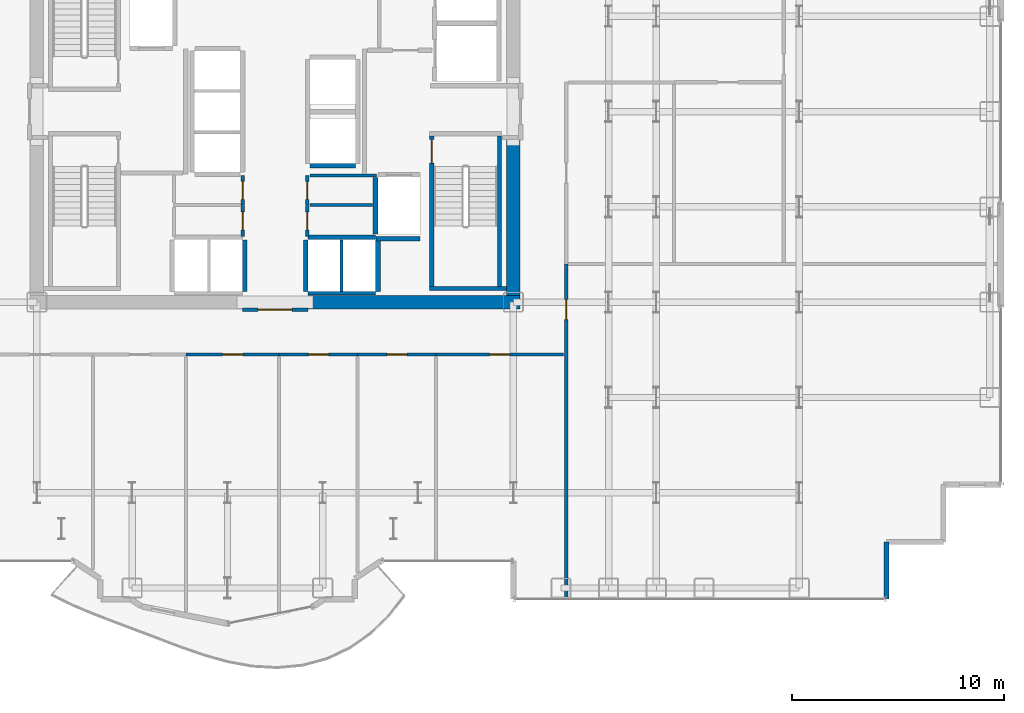
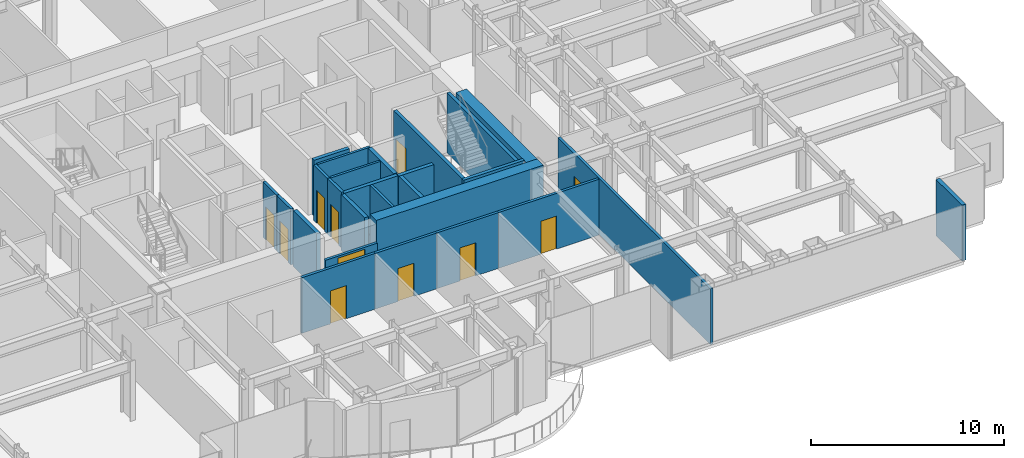
# One storey, part 24 of 29: 27 walls, 11 doors, 11 openings.
"""IFC4 building model written with IfcOpenShell, lengths in metres."""

from ifc_helpers import new_model, si_unit, direction, frame, frame_2d, origin, place, context, subcontext, project, spatial, rectangle, extrude, source, transform, mapped, material, layer, layer_set, type_object, element, fill, save


model = new_model("IFC4")

# Units and contexts
model_context = context("Model", 3, precision=1e-05, world=origin(), true_north=direction((0.0, 1.0)))
body_context = subcontext(model_context, "Body", "Model", "MODEL_VIEW")
ifc_project = project(units=[si_unit("LENGTHUNIT", "METRE"), si_unit("AREAUNIT", "SQUARE_METRE"), si_unit("VOLUMEUNIT", "CUBIC_METRE"), si_unit("PLANEANGLEUNIT", "RADIAN"), si_unit("MASSUNIT", "GRAM", prefix="KILO")], contexts=[model_context])

# Site, building, storey
site_placement = place(None, origin())
site = spatial("IfcSite", under=ifc_project, at=site_placement, CompositionType="ELEMENT")
building_placement = place(site_placement, origin())
building = spatial("IfcBuilding", under=site, at=building_placement, Name="Nefas-Gora Pilgrimage Tower", CompositionType="ELEMENT")
storey_placement = place(building_placement, frame((0.0, 0.0, 44.39990234375)))
storey = spatial("IfcBuildingStorey", under=building, at=storey_placement, Name="L09", CompositionType="ELEMENT", Elevation=44.39990234375)

# Walls
ifc_material_1 = material(Name="Concrete C60/75", Category="concrete")
ifc_layer_1 = layer(ifc_material_1, 0.64990234375)
ifc_layer_set_1 = layer_set([ifc_layer_1], Name="Concrete C60/75")
wall_type_1 = type_object("IfcWallType", Name="SW-CORE-650", PredefinedType="SHEAR", material=ifc_layer_set_1)
shared_shape_1 = source(origin(), body_context, "Body", "SweptSolid", [
    extrude(rectangle(XDim=10.02490234375, YDim=0.64990234375, at=frame_2d((5.012451171875, 0.0))), origin(), (0.0, 0.0, 1.0), 3.800048828125),
])
wall_1_placement = place(storey_placement, frame((1.550048828125, -9.0, 0.0), z_axis=(0.0, 0.0, 1.0), x_axis=(1.0, 0.0, 0.0)))
element("IfcWall", 1, at=wall_1_placement, inside=storey, type_object=wall_type_1, Name="L09 Core Shear Wall S-East", PredefinedType="SHEAR", context=body_context, shape_type="MappedRepresentation", body=[
    mapped(shared_shape_1, transform((0.0, 0.0, 0.0), x_axis=(1.0, 0.0, 0.0), y_axis=(0.0, 1.0, 0.0), z_axis=(0.0, 0.0, 1.0), scale=1.0)),
])
shared_shape_2 = source(origin(), body_context, "Body", "SweptSolid", [
    extrude(rectangle(XDim=7.324951171875, YDim=0.64990234375, at=frame_2d((3.66259765625, 0.0))), origin(), (0.0, 0.0, 1.0), 3.800048828125),
])
wall_2_placement = place(storey_placement, frame((11.25, -8.675048828125, 0.0), z_axis=(0.0, 0.0, 1.0), x_axis=(0.0, 1.0, 0.0)))
element("IfcWall", 2, at=wall_2_placement, inside=storey, type_object=wall_type_1, Name="L09 Core Shear Wall E-South", PredefinedType="SHEAR", context=body_context, shape_type="MappedRepresentation", body=[
    mapped(shared_shape_2, transform((0.0, 0.0, 0.0), x_axis=(1.0, 0.0, 0.0), y_axis=(0.0, 1.0, 0.0), z_axis=(0.0, 0.0, 1.0), scale=1.0)),
])
ifc_material_2 = material(Name="Precast concrete C45/55", Category="concrete")
ifc_layer_2 = layer(ifc_material_2, 0.239990234375)
ifc_layer_set_2 = layer_set([ifc_layer_2], Name="Precast concrete C45/55")
wall_type_2 = type_object("IfcWallType", Name="EW-SERR-240", PredefinedType="SHEAR", material=ifc_layer_set_2)
shared_shape_3 = source(origin(), body_context, "Body", "SweptSolid", [
    extrude(rectangle(XDim=2.699951171875, YDim=0.239990234375, at=frame_2d((1.35009765625, 0.0))), origin(), (0.0, 0.0, 1.0), 3.550048828125),
])
wall_3_placement = place(storey_placement, frame((28.8701171875, -23.02001953125, 0.0), z_axis=(0.0, 0.0, 1.0), x_axis=(0.0, 1.0, 0.0)))
element("IfcWall", 3, at=wall_3_placement, inside=storey, type_object=wall_type_2, Name="L09 Serrated Corner Shear Pier Wall 6", PredefinedType="SHEAR", context=body_context, shape_type="MappedRepresentation", body=[
    mapped(shared_shape_3, transform((0.0, 0.0, 0.0), x_axis=(1.0, 0.0, 0.0), y_axis=(0.0, 1.0, 0.0), z_axis=(0.0, 0.0, 1.0), scale=1.0)),
])
ifc_material_3 = material(Name="Concrete C45/55", Category="concrete")
ifc_layer_3 = layer(ifc_material_3, 0.199951171875)
ifc_layer_set_3 = layer_set([ifc_layer_3], Name="Concrete C45/55")
wall_type_3 = type_object("IfcWallType", Name="IW-STAIR-200", PredefinedType="SOLIDWALL", material=ifc_layer_set_3)
shared_shape_4 = source(origin(), body_context, "Body", "SweptSolid", [
    extrude(rectangle(XDim=3.6298828125, YDim=0.199951171875, at=frame_2d((1.81494140625, 0.0))), origin(), (0.0, 0.0, 1.0), 3.800048828125),
])
wall_4_placement = place(storey_placement, frame((7.300048828125, -8.35009765625, 0.0), z_axis=(0.0, 0.0, 1.0), x_axis=(1.0, 0.0, 0.0)))
element("IfcWall", 4, at=wall_4_placement, inside=storey, type_object=wall_type_3, Name="L09 Stairwell Shear Wall ST-02-far", PredefinedType="SOLIDWALL", context=body_context, shape_type="MappedRepresentation", body=[
    mapped(shared_shape_4, transform((0.0, 0.0, 0.0), x_axis=(1.0, 0.0, 0.0), y_axis=(0.0, 1.0, 0.0), z_axis=(0.0, 0.0, 1.0), scale=1.0)),
])

# Wall, opening, door
shared_shape_5 = source(origin(), body_context, "Body", "SweptSolid", [
    extrude(rectangle(XDim=7.10009765625, YDim=0.199951171875, at=frame_2d((3.550048828125, 0.0))), origin(), (0.0, 0.0, 1.0), 3.800048828125),
])
wall_5_placement = place(storey_placement, frame((7.39990234375, -1.14990234375, 0.0), z_axis=(0.0, 0.0, 1.0), x_axis=(0.0, -1.0, 0.0)))
wall_5 = element("IfcWall", 5, at=wall_5_placement, inside=storey, type_object=wall_type_3, Name="L09 Stairwell Shear Wall ST-02-left", PredefinedType="SOLIDWALL", context=body_context, shape_type="MappedRepresentation", body=[
    mapped(shared_shape_5, transform((0.0, 0.0, 0.0), x_axis=(1.0, 0.0, 0.0), y_axis=(0.0, 1.0, 0.0), z_axis=(0.0, 0.0, 1.0), scale=1.0)),
])
opening_1_placement = place(wall_5_placement, frame((0.179931640625, 0.0, 0.0)))
opening_1 = element("IfcOpeningElement", 6, at=opening_1_placement, cuts=wall_5, Name="Opening ID-ST1", PredefinedType="OPENING", context=body_context, shape_type="SweptSolid", body=[
    extrude(rectangle(XDim=1.10009765625, YDim=2.14990234375, at=frame_2d((0.550048828125, 1.074951171875))), frame((0.0, 0.10986328125, 0.0), z_axis=(0.0, -1.0, 0.0), x_axis=(1.0, 0.0, 0.0)), (0.0, 0.0, 1.0), 0.219970703125),
])
ifc_material_4 = material(Name="Painted galvanised steel fire stair door", Category="steel")
door_type_1 = type_object("IfcDoorType", Name="DR-INT-STAIR-1100", OperationType="NOTDEFINED", PredefinedType="DOOR", material=ifc_material_4)
shared_shape_6 = source(origin(), body_context, "Body", "SweptSolid", [
    extrude(rectangle(XDim=1.10009765625, YDim=2.14990234375, at=frame_2d((0.550048828125, 1.074951171875))), frame((0.0, 0.02490234375, 0.0), z_axis=(0.0, -1.0, 0.0), x_axis=(1.0, 0.0, 0.0)), (0.0, 0.0, 1.0), 0.050048828125),
])
door_1_placement = place(opening_1_placement, origin())
door_1 = element("IfcDoor", 7, at=door_1_placement, inside=storey, type_object=door_type_1, Name="L09 Protected Exit Stair Door ST-02", OperationType="SINGLE_SWING_RIGHT", OverallHeight=2.14990234375, OverallWidth=1.10009765625, PredefinedType="DOOR", context=body_context, shape_type="MappedRepresentation", body=[
    mapped(shared_shape_6, transform((0.0, 0.0, 0.0), x_axis=(1.0, 0.0, 0.0), y_axis=(0.0, 1.0, 0.0), z_axis=(0.0, 0.0, 1.0), scale=1.0)),
])
fill(opening_1, door_1)

# Walls
wall_6_placement = place(storey_placement, frame((10.60009765625, -1.14990234375, 0.0), z_axis=(0.0, 0.0, 1.0), x_axis=(0.0, -1.0, 0.0)))
element("IfcWall", 8, at=wall_6_placement, inside=storey, type_object=wall_type_3, Name="L09 Stairwell Shear Wall ST-02-right", PredefinedType="SOLIDWALL", context=body_context, shape_type="MappedRepresentation", body=[
    mapped(shared_shape_5, transform((0.0, 0.0, 0.0), x_axis=(1.0, 0.0, 0.0), y_axis=(0.0, 1.0, 0.0), z_axis=(0.0, 0.0, 1.0), scale=1.0)),
])
ifc_material_5 = material(Name="Gypsum acoustic stud partition")
ifc_layer_4 = layer(ifc_material_5, 0.159912109375)
ifc_layer_set_4 = layer_set([ifc_layer_4], Name="Gypsum acoustic stud partition")
wall_type_4 = type_object("IfcWallType", Name="IW-CORR-160", PredefinedType="PARTITIONING", material=ifc_layer_set_4)
shared_shape_7 = source(origin(), body_context, "Body", "SweptSolid", [
    extrude(rectangle(XDim=3.199951171875, YDim=0.159912109375, at=frame_2d((1.60009765625, 0.0))), origin(), (0.0, 0.0, 1.0), 2.425048828125),
])
wall_7_placement = place(storey_placement, frame((1.550048828125, -8.580078125, 0.0), z_axis=(0.0, 0.0, 1.0), x_axis=(1.0, 0.0, 0.0)))
element("IfcWall", 9, at=wall_7_placement, inside=storey, type_object=wall_type_4, Name="L09 Hoistway Wall PL2-E-S", PredefinedType="PARTITIONING", context=body_context, shape_type="MappedRepresentation", body=[
    mapped(shared_shape_7, transform((0.0, 0.0, 0.0), x_axis=(1.0, 0.0, 0.0), y_axis=(0.0, 1.0, 0.0), z_axis=(0.0, 0.0, 1.0), scale=1.0)),
])
ifc_material_6 = material(Name="Concrete C40/50", Category="concrete")
ifc_layer_5 = layer(ifc_material_6, 0.219970703125)
ifc_layer_set_5 = layer_set([ifc_layer_5], Name="Concrete C40/50")
wall_type_5 = type_object("IfcWallType", Name="IW-SHAFT-220", PredefinedType="SOLIDWALL", material=ifc_layer_set_5)
shared_shape_8 = source(origin(), body_context, "Body", "SweptSolid", [
    extrude(rectangle(XDim=2.679931640625, YDim=0.219970703125, at=frame_2d((1.33984375, 0.0))), origin(), (0.0, 0.0, 1.0), 3.53515625),
])
wall_8_placement = place(storey_placement, frame((4.739990234375, -3.110107421875, 0.0), z_axis=(0.0, 0.0, 1.0), x_axis=(0.0, -1.0, 0.0)))
element("IfcWall", 10, at=wall_8_placement, inside=storey, type_object=wall_type_5, Name="L09 Hoistway Wall FFL-02-W", PredefinedType="SOLIDWALL", context=body_context, shape_type="MappedRepresentation", body=[
    mapped(shared_shape_8, transform((0.0, 0.0, 0.0), x_axis=(1.0, 0.0, 0.0), y_axis=(0.0, 1.0, 0.0), z_axis=(0.0, 0.0, 1.0), scale=1.0)),
])
shared_shape_9 = source(origin(), body_context, "Body", "SweptSolid", [
    extrude(rectangle(XDim=3.199951171875, YDim=0.219970703125, at=frame_2d((1.60009765625, 0.0))), origin(), (0.0, 0.0, 1.0), 3.53515625),
])
wall_9_placement = place(storey_placement, frame((4.75, -5.93994140625, 0.0), z_axis=(0.0, 0.0, 1.0), x_axis=(-1.0, 0.0, 0.0)))
element("IfcWall", 11, at=wall_9_placement, inside=storey, type_object=wall_type_5, Name="L09 Hoistway Wall PL2-E-N", PredefinedType="SOLIDWALL", context=body_context, shape_type="MappedRepresentation", body=[
    mapped(shared_shape_9, transform((0.0, 0.0, 0.0), x_axis=(1.0, 0.0, 0.0), y_axis=(0.0, 1.0, 0.0), z_axis=(0.0, 0.0, 1.0), scale=1.0)),
])
shared_shape_10 = source(origin(), body_context, "Body", "SweptSolid", [
    extrude(rectangle(XDim=2.429931640625, YDim=0.219970703125, at=frame_2d((1.21484375, 0.0))), origin(), (0.0, 0.0, 1.0), 3.53515625),
])
for number, where, z_axis, x_axis, name in (
    (12, (-1.43994140625, -8.489990234375, 0.0), (0.0, 0.0, 1.0), (0.0, 1.0, 0.0), "L09 Hoistway Wall PL2-W-E"),
    (13, (1.43994140625, -6.06005859375, 0.0), (0.0, 0.0, 1.0), (0.0, -1.0, 0.0), "L09 Hoistway Wall PL2-E-W"),
    (14, (4.860107421875, -8.489990234375, 0.0), (0.0, 0.0, 1.0), (0.0, 1.0, 0.0), "L09 Hoistway Wall PL2-E-E"),
):
    element("IfcWall", number, at=place(storey_placement, frame(where, z_axis=z_axis, x_axis=x_axis)), inside=storey, type_object=wall_type_5, Name=name, PredefinedType="SOLIDWALL", context=body_context, shape_type="MappedRepresentation", body=[
        mapped(shared_shape_10, transform((0.0, 0.0, 0.0), x_axis=(1.0, 0.0, 0.0), y_axis=(0.0, 1.0, 0.0), z_axis=(0.0, 0.0, 1.0), scale=1.0)),
    ])
ifc_material_7 = material(Name="Gypsum twin-stud partition")
ifc_layer_6 = layer(ifc_material_7, 0.139892578125)
ifc_layer_set_6 = layer_set([ifc_layer_6], Name="Gypsum twin-stud partition")
wall_type_6 = type_object("IfcWallType", Name="IW-UNIT-140", PredefinedType="PARTITIONING", material=ifc_layer_set_6)
shared_shape_11 = source(origin(), body_context, "Body", "SweptSolid", [
    extrude(rectangle(XDim=2.429931640625, YDim=0.139892578125, at=frame_2d((1.21484375, 0.0))), origin(), (0.0, 0.0, 1.0), 3.53515625),
])
wall_10_placement = place(storey_placement, frame((3.125, -8.489990234375, 0.0), z_axis=(0.0, 0.0, 1.0), x_axis=(0.0, 1.0, 0.0)))
element("IfcWall", 15, at=wall_10_placement, inside=storey, type_object=wall_type_6, Name="L09 Hoistway Wall PL2-E-DIV", PredefinedType="PARTITIONING", context=body_context, shape_type="MappedRepresentation", body=[
    mapped(shared_shape_11, transform((0.0, 0.0, 0.0), x_axis=(1.0, 0.0, 0.0), y_axis=(0.0, 1.0, 0.0), z_axis=(0.0, 0.0, 1.0), scale=1.0)),
])
shared_shape_12 = source(origin(), body_context, "Body", "SweptSolid", [
    extrude(rectangle(XDim=2.130126953125, YDim=0.219970703125, at=frame_2d((1.06494140625, 0.0))), origin(), (0.0, 0.0, 1.0), 3.53515625),
])
wall_11_placement = place(storey_placement, frame((1.659912109375, -2.56005859375, 0.0), z_axis=(0.0, 0.0, 1.0), x_axis=(1.0, 0.0, 0.0)))
element("IfcWall", 16, at=wall_11_placement, inside=storey, type_object=wall_type_5, Name="L09 Hoistway Wall OBS-01-S", PredefinedType="SOLIDWALL", context=body_context, shape_type="MappedRepresentation", body=[
    mapped(shared_shape_12, transform((0.0, 0.0, 0.0), x_axis=(1.0, 0.0, 0.0), y_axis=(0.0, 1.0, 0.0), z_axis=(0.0, 0.0, 1.0), scale=1.0)),
])

# Wall, opening, door
shared_shape_13 = source(origin(), body_context, "Body", "SweptSolid", [
    extrude(rectangle(XDim=3.08984375, YDim=0.159912109375, at=frame_2d((1.544921875, 0.0))), origin(), (0.0, 0.0, 1.0), 2.425048828125),
])
wall_12_placement = place(storey_placement, frame((-1.544921875, -9.35009765625, 0.0), z_axis=(0.0, 0.0, 1.0), x_axis=(1.0, 0.0, 0.0)))
wall_12 = element("IfcWall", 17, at=wall_12_placement, inside=storey, type_object=wall_type_4, Name="L09 Central Lift Lobby South Portal Wall 14", PredefinedType="PARTITIONING", context=body_context, shape_type="MappedRepresentation", body=[
    mapped(shared_shape_13, transform((0.0, 0.0, 0.0), x_axis=(1.0, 0.0, 0.0), y_axis=(0.0, 1.0, 0.0), z_axis=(0.0, 0.0, 1.0), scale=1.0)),
])
opening_2_placement = place(wall_12_placement, frame((0.7451171875, 0.0, 0.0)))
opening_2 = element("IfcOpeningElement", 18, at=opening_2_placement, cuts=wall_12, Name="Opening ID-HL1", PredefinedType="OPENING", context=body_context, shape_type="SweptSolid", body=[
    extrude(rectangle(XDim=1.60009765625, YDim=2.300048828125, at=frame_2d((0.800048828125, 1.14990234375))), frame((0.0, 0.08984375, 0.0), z_axis=(0.0, -1.0, 0.0), x_axis=(1.0, 0.0, 0.0)), (0.0, 0.0, 1.0), 0.179931640625),
])
ifc_material_8 = material(Name="Double acoustic timber assembly hall door", Category="wood")
door_type_2 = type_object("IfcDoorType", Name="DR-INT-HALL-1600", OperationType="DOUBLE_DOOR_SINGLE_SWING", PredefinedType="DOOR", material=ifc_material_8)
shared_shape_14 = source(origin(), body_context, "Body", "SweptSolid", [
    extrude(rectangle(XDim=1.60009765625, YDim=2.300048828125, at=frame_2d((0.800048828125, 1.14990234375))), frame((0.0, 0.02490234375, 0.0), z_axis=(0.0, -1.0, 0.0), x_axis=(1.0, 0.0, 0.0)), (0.0, 0.0, 1.0), 0.050048828125),
])
door_2_placement = place(opening_2_placement, origin())
door_2 = element("IfcDoor", 19, at=door_2_placement, inside=storey, type_object=door_type_2, Name="L09 Central Lift Lobby South Portal Door 5", OperationType="DOUBLE_DOOR_SINGLE_SWING", OverallHeight=2.300048828125, OverallWidth=1.60009765625, PredefinedType="DOOR", context=body_context, shape_type="MappedRepresentation", body=[
    mapped(shared_shape_14, transform((0.0, 0.0, 0.0), x_axis=(1.0, 0.0, 0.0), y_axis=(0.0, 1.0, 0.0), z_axis=(0.0, 0.0, 1.0), scale=1.0)),
])
fill(opening_2, door_2)

# Wall
shared_shape_15 = source(origin(), body_context, "Body", "SweptSolid", [
    extrude(rectangle(XDim=2.09521484375, YDim=0.219970703125, at=frame_2d((1.047607421875, 0.0))), origin(), (0.0, 0.0, 1.0), 3.53515625),
])
wall_13_placement = place(storey_placement, frame((4.7548828125, -6.0, 0.0), z_axis=(0.0, 0.0, 1.0), x_axis=(1.0, 0.0, 0.0)))
element("IfcWall", 20, at=wall_13_placement, inside=storey, type_object=wall_type_5, Name="L09 Riser Shaft Wall 2", PredefinedType="SOLIDWALL", context=body_context, shape_type="MappedRepresentation", body=[
    mapped(shared_shape_15, transform((0.0, 0.0, 0.0), x_axis=(1.0, 0.0, 0.0), y_axis=(0.0, 1.0, 0.0), z_axis=(0.0, 0.0, 1.0), scale=1.0)),
])

# Wall, opening, door
shared_shape_16 = source(origin(), body_context, "Body", "SweptSolid", [
    extrude(rectangle(XDim=1.409912109375, YDim=0.159912109375, at=frame_2d((0.705078125, 0.0))), origin(), (0.0, 0.0, 1.0), 3.53515625),
])
wall_14_placement = place(storey_placement, frame((-1.52001953125, -4.419921875, 0.0), z_axis=(0.0, 0.0, 1.0), x_axis=(0.0, 1.0, 0.0)))
wall_14 = element("IfcWall", 21, at=wall_14_placement, inside=storey, type_object=wall_type_4, Name="L09 Housekeeping and Linen Store Wall 16", PredefinedType="PARTITIONING", context=body_context, shape_type="MappedRepresentation", body=[
    mapped(shared_shape_16, transform((0.0, 0.0, 0.0), x_axis=(1.0, 0.0, 0.0), y_axis=(0.0, 1.0, 0.0), z_axis=(0.0, 0.0, 1.0), scale=1.0)),
])
opening_3_placement = place(wall_14_placement, frame((0.280029296875, 0.0, 0.0)))
opening_3 = element("IfcOpeningElement", 22, at=opening_3_placement, cuts=wall_14, Name="Opening ID-BT1", PredefinedType="OPENING", context=body_context, shape_type="SweptSolid", body=[
    extrude(rectangle(XDim=0.85009765625, YDim=2.10009765625, at=frame_2d((0.425048828125, 1.050048828125))), frame((0.0, 0.08984375, 0.0), z_axis=(0.0, -1.0, 0.0), x_axis=(1.0, 0.0, 0.0)), (0.0, 0.0, 1.0), 0.179931640625),
])
ifc_material_9 = material(Name="Moisture-resistant fire-rated timber door", Category="wood")
door_type_3 = type_object("IfcDoorType", Name="DR-INT-BATH-850", OperationType="NOTDEFINED", PredefinedType="DOOR", material=ifc_material_9)
shared_shape_17 = source(origin(), body_context, "Body", "SweptSolid", [
    extrude(rectangle(XDim=0.85009765625, YDim=2.10009765625, at=frame_2d((0.425048828125, 1.050048828125))), frame((0.0, 0.02490234375, 0.0), z_axis=(0.0, -1.0, 0.0), x_axis=(1.0, 0.0, 0.0)), (0.0, 0.0, 1.0), 0.050048828125),
])
door_3_placement = place(opening_3_placement, origin())
door_3 = element("IfcDoor", 23, at=door_3_placement, inside=storey, type_object=door_type_3, Name="L09 Housekeeping and Linen Store Door 6", OperationType="SINGLE_SWING_LEFT", OverallHeight=2.10009765625, OverallWidth=0.85009765625, PredefinedType="DOOR", context=body_context, shape_type="MappedRepresentation", body=[
    mapped(shared_shape_17, transform((0.0, 0.0, 0.0), x_axis=(1.0, 0.0, 0.0), y_axis=(0.0, 1.0, 0.0), z_axis=(0.0, 0.0, 1.0), scale=1.0)),
])
fill(opening_3, door_3)

wall_15_placement = place(storey_placement, frame((1.52001953125, -4.419921875, 0.0), z_axis=(0.0, 0.0, 1.0), x_axis=(0.0, 1.0, 0.0)))
wall_15 = element("IfcWall", 24, at=wall_15_placement, inside=storey, type_object=wall_type_4, Name="L09 Clean Blanket and Robe Store Wall 21", PredefinedType="PARTITIONING", context=body_context, shape_type="MappedRepresentation", body=[
    mapped(shared_shape_16, transform((0.0, 0.0, 0.0), x_axis=(1.0, 0.0, 0.0), y_axis=(0.0, 1.0, 0.0), z_axis=(0.0, 0.0, 1.0), scale=1.0)),
])
opening_4_placement = place(wall_15_placement, frame((0.280029296875, 0.0, 0.0)))
opening_4 = element("IfcOpeningElement", 25, at=opening_4_placement, cuts=wall_15, Name="Opening ID-BT1", PredefinedType="OPENING", context=body_context, shape_type="SweptSolid", body=[
    extrude(rectangle(XDim=0.85009765625, YDim=2.10009765625, at=frame_2d((0.425048828125, 1.050048828125))), frame((0.0, 0.08984375, 0.0), z_axis=(0.0, -1.0, 0.0), x_axis=(1.0, 0.0, 0.0)), (0.0, 0.0, 1.0), 0.179931640625),
])
door_4_placement = place(opening_4_placement, origin())
door_4 = element("IfcDoor", 26, at=door_4_placement, inside=storey, type_object=door_type_3, Name="L09 Clean Blanket and Robe Store Door 8", OperationType="SINGLE_SWING_LEFT", OverallHeight=2.10009765625, OverallWidth=0.85009765625, PredefinedType="DOOR", context=body_context, shape_type="MappedRepresentation", body=[
    mapped(shared_shape_17, transform((0.0, 0.0, 0.0), x_axis=(1.0, 0.0, 0.0), y_axis=(0.0, 1.0, 0.0), z_axis=(0.0, 0.0, 1.0), scale=1.0)),
])
fill(opening_4, door_4)

# Wall
shared_shape_18 = source(origin(), body_context, "Body", "SweptSolid", [
    extrude(rectangle(XDim=3.150146484375, YDim=0.139892578125, at=frame_2d((1.5751953125, 0.0))), origin(), (0.0, 0.0, 1.0), 3.53515625),
])
wall_16_placement = place(storey_placement, frame((1.639892578125, -3.02001953125, 0.0), z_axis=(0.0, 0.0, 1.0), x_axis=(1.0, 0.0, 0.0)))
element("IfcWall", 27, at=wall_16_placement, inside=storey, type_object=wall_type_6, Name="L09 Clean Blanket and Robe Store Partition Wall 22", PredefinedType="PARTITIONING", context=body_context, shape_type="MappedRepresentation", body=[
    mapped(shared_shape_18, transform((0.0, 0.0, 0.0), x_axis=(1.0, 0.0, 0.0), y_axis=(0.0, 1.0, 0.0), z_axis=(0.0, 0.0, 1.0), scale=1.0)),
])

# Wall, opening, door
shared_shape_19 = source(origin(), body_context, "Body", "SweptSolid", [
    extrude(rectangle(XDim=1.449951171875, YDim=0.159912109375, at=frame_2d((0.72509765625, 0.0))), origin(), (0.0, 0.0, 1.0), 3.53515625),
])
wall_17_placement = place(storey_placement, frame((-1.52001953125, -5.889892578125, 0.0), z_axis=(0.0, 0.0, 1.0), x_axis=(0.0, 1.0, 0.0)))
wall_17 = element("IfcWall", 28, at=wall_17_placement, inside=storey, type_object=wall_type_4, Name="L09 Guest Self-Service Laundry Room Wall 19", PredefinedType="PARTITIONING", context=body_context, shape_type="MappedRepresentation", body=[
    mapped(shared_shape_19, transform((0.0, 0.0, 0.0), x_axis=(1.0, 0.0, 0.0), y_axis=(0.0, 1.0, 0.0), z_axis=(0.0, 0.0, 1.0), scale=1.0)),
])
opening_5_placement = place(wall_17_placement, frame((0.300048828125, 0.0, 0.0)))
opening_5 = element("IfcOpeningElement", 29, at=opening_5_placement, cuts=wall_17, Name="Opening ID-BT1", PredefinedType="OPENING", context=body_context, shape_type="SweptSolid", body=[
    extrude(rectangle(XDim=0.85009765625, YDim=2.10009765625, at=frame_2d((0.425048828125, 1.050048828125))), frame((0.0, 0.08984375, 0.0), z_axis=(0.0, -1.0, 0.0), x_axis=(1.0, 0.0, 0.0)), (0.0, 0.0, 1.0), 0.179931640625),
])
door_5_placement = place(opening_5_placement, origin())
door_5 = element("IfcDoor", 30, at=door_5_placement, inside=storey, type_object=door_type_3, Name="L09 Guest Self-Service Laundry Room Door 7", OperationType="SINGLE_SWING_RIGHT", OverallHeight=2.10009765625, OverallWidth=0.85009765625, PredefinedType="DOOR", context=body_context, shape_type="MappedRepresentation", body=[
    mapped(shared_shape_17, transform((0.0, 0.0, 0.0), x_axis=(1.0, 0.0, 0.0), y_axis=(0.0, 1.0, 0.0), z_axis=(0.0, 0.0, 1.0), scale=1.0)),
])
fill(opening_5, door_5)

wall_18_placement = place(storey_placement, frame((1.52001953125, -5.889892578125, 0.0), z_axis=(0.0, 0.0, 1.0), x_axis=(0.0, 1.0, 0.0)))
wall_18 = element("IfcWall", 31, at=wall_18_placement, inside=storey, type_object=wall_type_4, Name="L09 Core Amenity Supply Store Wall 24", PredefinedType="PARTITIONING", context=body_context, shape_type="MappedRepresentation", body=[
    mapped(shared_shape_19, transform((0.0, 0.0, 0.0), x_axis=(1.0, 0.0, 0.0), y_axis=(0.0, 1.0, 0.0), z_axis=(0.0, 0.0, 1.0), scale=1.0)),
])
opening_6_placement = place(wall_18_placement, frame((0.300048828125, 0.0, 0.0)))
opening_6 = element("IfcOpeningElement", 32, at=opening_6_placement, cuts=wall_18, Name="Opening ID-BT1", PredefinedType="OPENING", context=body_context, shape_type="SweptSolid", body=[
    extrude(rectangle(XDim=0.85009765625, YDim=2.10009765625, at=frame_2d((0.425048828125, 1.050048828125))), frame((0.0, 0.08984375, 0.0), z_axis=(0.0, -1.0, 0.0), x_axis=(1.0, 0.0, 0.0)), (0.0, 0.0, 1.0), 0.179931640625),
])
door_6_placement = place(opening_6_placement, origin())
door_6 = element("IfcDoor", 33, at=door_6_placement, inside=storey, type_object=door_type_3, Name="L09 Core Amenity Supply Store Door 9", OperationType="SINGLE_SWING_RIGHT", OverallHeight=2.10009765625, OverallWidth=0.85009765625, PredefinedType="DOOR", context=body_context, shape_type="MappedRepresentation", body=[
    mapped(shared_shape_17, transform((0.0, 0.0, 0.0), x_axis=(1.0, 0.0, 0.0), y_axis=(0.0, 1.0, 0.0), z_axis=(0.0, 0.0, 1.0), scale=1.0)),
])
fill(opening_6, door_6)

# Wall
shared_shape_20 = source(origin(), body_context, "Body", "SweptSolid", [
    extrude(rectangle(XDim=2.9501953125, YDim=0.139892578125, at=frame_2d((1.47509765625, 0.0))), origin(), (0.0, 0.0, 1.0), 3.53515625),
])
wall_19_placement = place(storey_placement, frame((1.639892578125, -4.409912109375, 0.0), z_axis=(0.0, 0.0, 1.0), x_axis=(1.0, 0.0, 0.0)))
element("IfcWall", 34, at=wall_19_placement, inside=storey, type_object=wall_type_6, Name="L09 Clean Blanket and Robe Store Partition Wall 23", PredefinedType="PARTITIONING", context=body_context, shape_type="MappedRepresentation", body=[
    mapped(shared_shape_20, transform((0.0, 0.0, 0.0), x_axis=(1.0, 0.0, 0.0), y_axis=(0.0, 1.0, 0.0), z_axis=(0.0, 0.0, 1.0), scale=1.0)),
])

# Wall, opening, door
shared_shape_21 = source(origin(), body_context, "Body", "SweptSolid", [
    extrude(rectangle(XDim=15.844970703125, YDim=0.159912109375, at=frame_2d((7.92236328125, 0.0))), origin(), (0.0, 0.0, 1.0), 3.53515625),
])
wall_20_placement = place(storey_placement, frame((13.739990234375, -23.0400390625, 0.0), z_axis=(0.0, 0.0, 1.0), x_axis=(0.0, 1.0, 0.0)))
wall_20 = element("IfcWall", 35, at=wall_20_placement, inside=storey, type_object=wall_type_4, Name="L09 Pilgrim Contemplative Lounge Partition Wall 39", PredefinedType="PARTITIONING", context=body_context, shape_type="MappedRepresentation", body=[
    mapped(shared_shape_21, transform((0.0, 0.0, 0.0), x_axis=(1.0, 0.0, 0.0), y_axis=(0.0, 1.0, 0.0), z_axis=(0.0, 0.0, 1.0), scale=1.0)),
])
opening_7_placement = place(wall_20_placement, frame((13.21240234375, 0.0, 0.0)))
opening_7 = element("IfcOpeningElement", 36, at=opening_7_placement, cuts=wall_20, Name="Opening ID-GR1", PredefinedType="OPENING", context=body_context, shape_type="SweptSolid", body=[
    extrude(rectangle(XDim=0.949951171875, YDim=2.10009765625, at=frame_2d((0.47509765625, 1.050048828125))), frame((0.0, 0.08984375, 0.0), z_axis=(0.0, -1.0, 0.0), x_axis=(1.0, 0.0, 0.0)), (0.0, 0.0, 1.0), 0.179931640625),
])
ifc_material_10 = material(Name="Solid core oak fire-rated guest entrance door")
door_type_4 = type_object("IfcDoorType", Name="DR-INT-GUEST-950", OperationType="NOTDEFINED", PredefinedType="DOOR", material=ifc_material_10)
shared_shape_22 = source(origin(), body_context, "Body", "SweptSolid", [
    extrude(rectangle(XDim=0.949951171875, YDim=2.10009765625, at=frame_2d((0.47509765625, 1.050048828125))), frame((0.0, 0.02490234375, 0.0), z_axis=(0.0, -1.0, 0.0), x_axis=(1.0, 0.0, 0.0)), (0.0, 0.0, 1.0), 0.050048828125),
])
door_7_placement = place(opening_7_placement, origin())
door_7 = element("IfcDoor", 37, at=door_7_placement, inside=storey, type_object=door_type_4, Name="L09 Pilgrim Contemplative Lounge Door 17", OperationType="SINGLE_SWING_RIGHT", OverallHeight=2.10009765625, OverallWidth=0.949951171875, PredefinedType="DOOR", context=body_context, shape_type="MappedRepresentation", body=[
    mapped(shared_shape_22, transform((0.0, 0.0, 0.0), x_axis=(1.0, 0.0, 0.0), y_axis=(0.0, 1.0, 0.0), z_axis=(0.0, 0.0, 1.0), scale=1.0)),
])
fill(opening_7, door_7)

shared_shape_23 = source(origin(), body_context, "Body", "SweptSolid", [
    extrude(rectangle(XDim=4.405029296875, YDim=0.159912109375, at=frame_2d((2.20263671875, 0.0))), origin(), (0.0, 0.0, 1.0), 3.53515625),
])
wall_21_placement = place(storey_placement, frame((-4.199951171875, -11.469970703125, 0.0), z_axis=(0.0, 0.0, 1.0), x_axis=(1.0, 0.0, 0.0)))
wall_21 = element("IfcWall", 38, at=wall_21_placement, inside=storey, type_object=wall_type_4, Name="L09 Pilgrim Contemplative Lounge Partition Wall 61", PredefinedType="PARTITIONING", context=body_context, shape_type="MappedRepresentation", body=[
    mapped(shared_shape_23, transform((0.0, 0.0, 0.0), x_axis=(1.0, 0.0, 0.0), y_axis=(0.0, 1.0, 0.0), z_axis=(0.0, 0.0, 1.0), scale=1.0)),
])
opening_8_placement = place(wall_21_placement, frame((1.7275390625, 0.0, 0.0)))
opening_8 = element("IfcOpeningElement", 39, at=opening_8_placement, cuts=wall_21, Name="Opening ID-GR1", PredefinedType="OPENING", context=body_context, shape_type="SweptSolid", body=[
    extrude(rectangle(XDim=0.949951171875, YDim=2.10009765625, at=frame_2d((0.47509765625, 1.050048828125))), frame((0.0, 0.08984375, 0.0), z_axis=(0.0, -1.0, 0.0), x_axis=(1.0, 0.0, 0.0)), (0.0, 0.0, 1.0), 0.179931640625),
])
door_8_placement = place(opening_8_placement, origin())
door_8 = element("IfcDoor", 40, at=door_8_placement, inside=storey, type_object=door_type_4, Name="L09 Pilgrim Contemplative Lounge Door 29", OperationType="SINGLE_SWING_RIGHT", OverallHeight=2.10009765625, OverallWidth=0.949951171875, PredefinedType="DOOR", context=body_context, shape_type="MappedRepresentation", body=[
    mapped(shared_shape_22, transform((0.0, 0.0, 0.0), x_axis=(1.0, 0.0, 0.0), y_axis=(0.0, 1.0, 0.0), z_axis=(0.0, 0.0, 1.0), scale=1.0)),
])
fill(opening_8, door_8)

shared_shape_24 = source(origin(), body_context, "Body", "SweptSolid", [
    extrude(rectangle(XDim=3.704833984375, YDim=0.159912109375, at=frame_2d((1.8525390625, 0.0))), origin(), (0.0, 0.0, 1.0), 3.53515625),
])
wall_22_placement = place(storey_placement, frame((0.195068359375, -11.469970703125, 0.0), z_axis=(0.0, 0.0, 1.0), x_axis=(1.0, 0.0, 0.0)))
wall_22 = element("IfcWall", 41, at=wall_22_placement, inside=storey, type_object=wall_type_4, Name="L09 Pilgrim Contemplative Lounge Partition Wall 63", PredefinedType="PARTITIONING", context=body_context, shape_type="MappedRepresentation", body=[
    mapped(shared_shape_24, transform((0.0, 0.0, 0.0), x_axis=(1.0, 0.0, 0.0), y_axis=(0.0, 1.0, 0.0), z_axis=(0.0, 0.0, 1.0), scale=1.0)),
])
opening_9_placement = place(wall_22_placement, frame((1.37744140625, 0.0, 0.0)))
opening_9 = element("IfcOpeningElement", 42, at=opening_9_placement, cuts=wall_22, Name="Opening ID-GR1", PredefinedType="OPENING", context=body_context, shape_type="SweptSolid", body=[
    extrude(rectangle(XDim=0.949951171875, YDim=2.10009765625, at=frame_2d((0.47509765625, 1.050048828125))), frame((0.0, 0.08984375, 0.0), z_axis=(0.0, -1.0, 0.0), x_axis=(1.0, 0.0, 0.0)), (0.0, 0.0, 1.0), 0.179931640625),
])
door_9_placement = place(opening_9_placement, origin())
door_9 = element("IfcDoor", 43, at=door_9_placement, inside=storey, type_object=door_type_4, Name="L09 Pilgrim Contemplative Lounge Door 30", OperationType="SINGLE_SWING_LEFT", OverallHeight=2.10009765625, OverallWidth=0.949951171875, PredefinedType="DOOR", context=body_context, shape_type="MappedRepresentation", body=[
    mapped(shared_shape_22, transform((0.0, 0.0, 0.0), x_axis=(1.0, 0.0, 0.0), y_axis=(0.0, 1.0, 0.0), z_axis=(0.0, 0.0, 1.0), scale=1.0)),
])
fill(opening_9, door_9)

shared_shape_25 = source(origin(), body_context, "Body", "SweptSolid", [
    extrude(rectangle(XDim=3.705078125, YDim=0.159912109375, at=frame_2d((1.8525390625, 0.0))), origin(), (0.0, 0.0, 1.0), 3.53515625),
])
wall_23_placement = place(storey_placement, frame((3.89990234375, -11.469970703125, 0.0), z_axis=(0.0, 0.0, 1.0), x_axis=(1.0, 0.0, 0.0)))
wall_23 = element("IfcWall", 44, at=wall_23_placement, inside=storey, type_object=wall_type_4, Name="L09 Pilgrim Contemplative Lounge Partition Wall 65", PredefinedType="PARTITIONING", context=body_context, shape_type="MappedRepresentation", body=[
    mapped(shared_shape_25, transform((0.0, 0.0, 0.0), x_axis=(1.0, 0.0, 0.0), y_axis=(0.0, 1.0, 0.0), z_axis=(0.0, 0.0, 1.0), scale=1.0)),
])
opening_10_placement = place(wall_23_placement, frame((1.37744140625, 0.0, 0.0)))
opening_10 = element("IfcOpeningElement", 45, at=opening_10_placement, cuts=wall_23, Name="Opening ID-GR1", PredefinedType="OPENING", context=body_context, shape_type="SweptSolid", body=[
    extrude(rectangle(XDim=0.949951171875, YDim=2.10009765625, at=frame_2d((0.47509765625, 1.050048828125))), frame((0.0, 0.08984375, 0.0), z_axis=(0.0, -1.0, 0.0), x_axis=(1.0, 0.0, 0.0)), (0.0, 0.0, 1.0), 0.179931640625),
])
door_10_placement = place(opening_10_placement, origin())
door_10 = element("IfcDoor", 46, at=door_10_placement, inside=storey, type_object=door_type_4, Name="L09 Pilgrim Contemplative Lounge Door 31", OperationType="SINGLE_SWING_RIGHT", OverallHeight=2.10009765625, OverallWidth=0.949951171875, PredefinedType="DOOR", context=body_context, shape_type="MappedRepresentation", body=[
    mapped(shared_shape_22, transform((0.0, 0.0, 0.0), x_axis=(1.0, 0.0, 0.0), y_axis=(0.0, 1.0, 0.0), z_axis=(0.0, 0.0, 1.0), scale=1.0)),
])
fill(opening_10, door_10)

shared_shape_26 = source(origin(), body_context, "Body", "SweptSolid", [
    extrude(rectangle(XDim=6.025146484375, YDim=0.159912109375, at=frame_2d((3.0126953125, 0.0))), origin(), (0.0, 0.0, 1.0), 3.53515625),
])
wall_24_placement = place(storey_placement, frame((7.594970703125, -11.469970703125, 0.0), z_axis=(0.0, 0.0, 1.0), x_axis=(1.0, 0.0, 0.0)))
wall_24 = element("IfcWall", 47, at=wall_24_placement, inside=storey, type_object=wall_type_4, Name="L09 Pilgrim Contemplative Lounge Partition Wall 67", PredefinedType="PARTITIONING", context=body_context, shape_type="MappedRepresentation", body=[
    mapped(shared_shape_26, transform((0.0, 0.0, 0.0), x_axis=(1.0, 0.0, 0.0), y_axis=(0.0, 1.0, 0.0), z_axis=(0.0, 0.0, 1.0), scale=1.0)),
])
opening_11_placement = place(wall_24_placement, frame((2.53759765625, 0.0, 0.0)))
opening_11 = element("IfcOpeningElement", 48, at=opening_11_placement, cuts=wall_24, Name="Opening ID-GR1", PredefinedType="OPENING", context=body_context, shape_type="SweptSolid", body=[
    extrude(rectangle(XDim=0.949951171875, YDim=2.10009765625, at=frame_2d((0.47509765625, 1.050048828125))), frame((0.0, 0.08984375, 0.0), z_axis=(0.0, -1.0, 0.0), x_axis=(1.0, 0.0, 0.0)), (0.0, 0.0, 1.0), 0.179931640625),
])
door_11_placement = place(opening_11_placement, origin())
door_11 = element("IfcDoor", 49, at=door_11_placement, inside=storey, type_object=door_type_4, Name="L09 Pilgrim Contemplative Lounge Door 32", OperationType="SINGLE_SWING_LEFT", OverallHeight=2.10009765625, OverallWidth=0.949951171875, PredefinedType="DOOR", context=body_context, shape_type="MappedRepresentation", body=[
    mapped(shared_shape_22, transform((0.0, 0.0, 0.0), x_axis=(1.0, 0.0, 0.0), y_axis=(0.0, 1.0, 0.0), z_axis=(0.0, 0.0, 1.0), scale=1.0)),
])
fill(opening_11, door_11)

save(model, "model.ifc")
